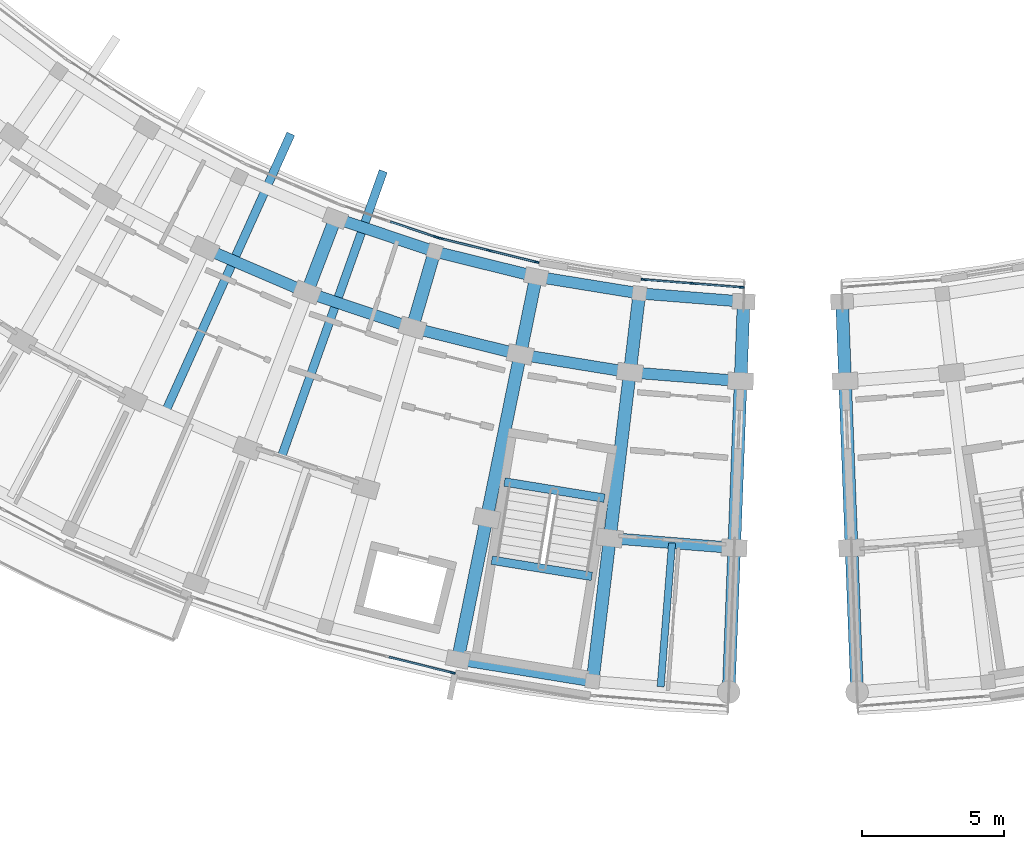
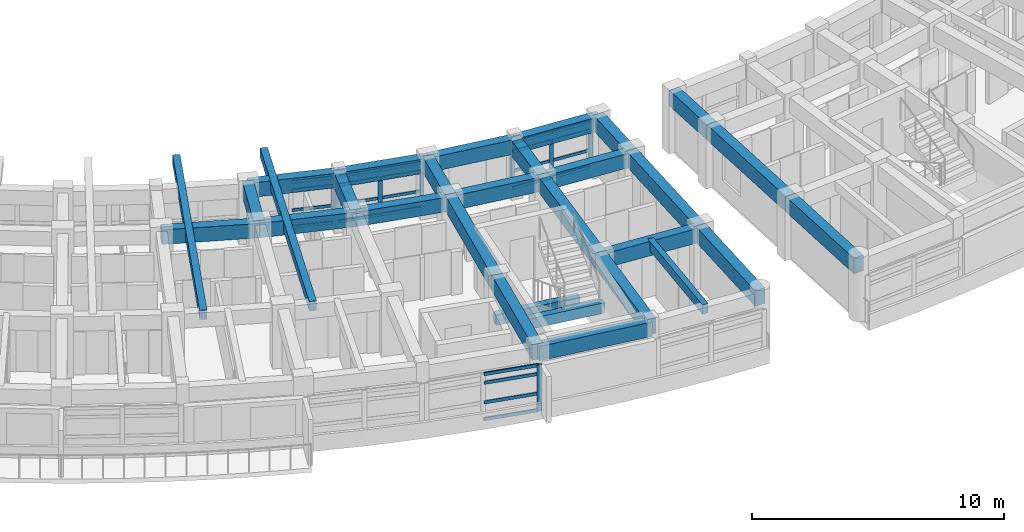
# One storey, part 12 of 70: 32 members, 30 beams, 4 elements without a shape of their own.
"""IFC4 building model written with IfcOpenShell, lengths in metres."""

from ifc_helpers import new_model, si_unit, direction, frame, origin, origin_2d, place, context, subcontext, project, spatial, rectangle, extrude, material, material_profile, profile_set, type_object, element, aggregate, save


model = new_model("IFC4")

# Units and contexts
model_context = context("Model", 3, precision=1e-05, world=origin(), true_north=direction((0.0, 1.0)))
body_context = subcontext(model_context, "Body", "Model", "MODEL_VIEW")
ifc_project = project(units=[si_unit("LENGTHUNIT", "METRE"), si_unit("AREAUNIT", "SQUARE_METRE"), si_unit("VOLUMEUNIT", "CUBIC_METRE"), si_unit("PLANEANGLEUNIT", "RADIAN"), si_unit("MASSUNIT", "GRAM", prefix="KILO")], contexts=[model_context])

# Site, building, storey
site_placement = place(None, origin())
site = spatial("IfcSite", under=ifc_project, at=site_placement, CompositionType="ELEMENT")
building_placement = place(site_placement, origin())
building = spatial("IfcBuilding", under=site, at=building_placement, Name="Zimvara Arc Housing Community", CompositionType="ELEMENT")
storey_placement = place(building_placement, frame((0.0, 0.0, 8.10009765625)))
storey = spatial("IfcBuildingStorey", under=building, at=storey_placement, Name="L02", CompositionType="ELEMENT", Elevation=8.10009765625)

# Beams
ifc_material_1 = material(Name="Concrete C40/50", Category="concrete")
ifc_material_profile_1 = material_profile(ifc_material_1, rectangle(XDim=0.25, YDim=0.449951171875, at=origin_2d()), Name="RC 250x450")
ifc_profile_set_1 = profile_set([ifc_material_profile_1], Name="Concrete C40/50")
beam_type_1 = type_object("IfcBeamType", Name="BM-RC-250x450", PredefinedType="JOIST", material=ifc_profile_set_1)
beam_1_placement = place(storey_placement, frame((121.72509765625, 56.2734375, 2.65478515625), z_axis=(-0.079171686291, -0.99686099537, 0.0), x_axis=(0.99686099537, -0.079171686291, 0.0)))
element("IfcBeam", 1, at=beam_1_placement, inside=storey, type_object=beam_type_1, Name="bm:blkC:L02:joist:b9", PredefinedType="JOIST", context=body_context, shape_type="SweptSolid", body=[
    extrude(rectangle(XDim=0.25, YDim=0.449951171875, at=origin_2d()), origin(), (0.0, 0.0, 1.0), 5.07568359375),
])
ifc_material_2 = material(Name="Concrete C40/50", Category="concrete")
ifc_material_profile_2 = material_profile(ifc_material_2, rectangle(XDim=0.300048828125, YDim=0.449951171875, at=origin_2d()), Name="RC 300x450")
ifc_profile_set_2 = profile_set([ifc_material_profile_2], Name="Concrete C40/50")
beam_type_2 = type_object("IfcBeamType", Name="BM-RC-300x450", PredefinedType="JOIST", material=ifc_profile_set_2)
for number, where, z_axis, x_axis, name in (
    (2, (103.849365234375, 60.822509765625, 2.664794921875), (0.411363625236, 0.911471320357, 0.0), (-0.911471320357, 0.411363625236, 0.0), "bm:blkC:L02:cant_in:b5"),
    (3, (107.92431640625, 59.180419921875, 2.664794921875), (0.335595863833, 0.942006059523, 0.0), (-0.942006059523, 0.335595863833, 0.0), "bm:blkC:L02:cant_in:b6"),
):
    element("IfcBeam", number, at=place(storey_placement, frame(where, z_axis=z_axis, x_axis=x_axis)), inside=storey, type_object=beam_type_2, Name=name, PredefinedType="JOIST", context=body_context, shape_type="SweptSolid", body=[
        extrude(rectangle(XDim=0.300048828125, YDim=0.449951171875, at=origin_2d()), origin(), (0.0, 0.0, 1.0), 10.81982421875),
    ])
ifc_material_3 = material(Name="Concrete C40/50", Category="concrete")
ifc_material_profile_3 = material_profile(ifc_material_3, rectangle(XDim=0.300048828125, YDim=0.5, at=origin_2d()), Name="RC 300x500")
ifc_profile_set_3 = profile_set([ifc_material_profile_3], Name="Concrete C40/50")
beam_type_3 = type_object("IfcBeamType", Name="BM-RC-300x500", PredefinedType="BEAM", material=ifc_profile_set_3)
for number, where, z_axis, x_axis, name in (
    (4, (115.822265625, 58.423095703125, -0.25), (0.987080057935, -0.160227835371, 0.0), (0.160227835371, 0.987080057935, 0.0), "bm:stair_trim:ST-C2:L02:near"),
    (5, (115.375244140625, 55.6689453125, 1.2998046875), (0.987080057935, -0.160227835371, 0.0), (0.160227835371, 0.987080057935, 0.0), "bm:stair_trim:ST-C2:L02:mid"),
):
    element("IfcBeam", number, at=place(storey_placement, frame(where, z_axis=z_axis, x_axis=x_axis)), inside=storey, type_object=beam_type_3, Name=name, PredefinedType="BEAM", context=body_context, shape_type="SweptSolid", body=[
        extrude(rectangle(XDim=0.300048828125, YDim=0.5, at=origin_2d()), origin(), (0.0, 0.0, 1.0), 3.570068359375),
    ])
ifc_material_4 = material(Name="Concrete C40/50", Category="concrete")
ifc_material_profile_4 = material_profile(ifc_material_4, rectangle(XDim=0.39990234375, YDim=0.699951171875, at=origin_2d()), Name="RC 400x700")
ifc_profile_set_4 = profile_set([ifc_material_profile_4], Name="Concrete C40/50")
beam_type_4 = type_object("IfcBeamType", Name="BM-RC-400x700", PredefinedType="BEAM", material=ifc_profile_set_4)
beam_2_placement = place(storey_placement, frame((109.869384765625, 67.71435546875, 2.52978515625), z_axis=(0.947865078275, -0.31867192124, 0.0), x_axis=(0.31867192124, 0.947865078275, 0.0)))
element("IfcBeam", 6, at=beam_2_placement, inside=storey, type_object=beam_type_4, Name="bm:blkC:L02:chord:r0:b6", PredefinedType="BEAM", context=body_context, shape_type="SweptSolid", body=[
    extrude(rectangle(XDim=0.39990234375, YDim=0.699951171875, at=origin_2d()), origin(), (0.0, 0.0, 1.0), 3.684326171875),
])
beam_3_placement = place(storey_placement, frame((113.361572265625, 66.540283203125, 2.52978515625), z_axis=(0.970724337693, -0.240196295163, 0.0), x_axis=(0.240196295163, 0.970724337693, 0.0)))
element("IfcBeam", 7, at=beam_3_placement, inside=storey, type_object=beam_type_4, Name="bm:blkC:L02:chord:r0:b7", PredefinedType="BEAM", context=body_context, shape_type="SweptSolid", body=[
    extrude(rectangle(XDim=0.39990234375, YDim=0.699951171875, at=origin_2d()), origin(), (0.0, 0.0, 1.0), 3.6845703125),
])
beam_4_placement = place(storey_placement, frame((116.938232421875, 65.6552734375, 2.52978515625), z_axis=(0.987079996944, -0.160228211104, 0.0), x_axis=(0.160228211104, 0.987079996944, 0.0)))
element("IfcBeam", 8, at=beam_4_placement, inside=storey, type_object=beam_type_4, Name="bm:blkC:L02:chord:r0:b8", PredefinedType="BEAM", context=body_context, shape_type="SweptSolid", body=[
    extrude(rectangle(XDim=0.39990234375, YDim=0.699951171875, at=origin_2d()), origin(), (0.0, 0.0, 1.0), 3.684326171875),
])
beam_5_placement = place(storey_placement, frame((120.574951171875, 65.06494140625, 2.52978515625), z_axis=(0.996860413745, -0.079179009267, 0.0), x_axis=(0.079179009267, 0.996860413745, 0.0)))
element("IfcBeam", 9, at=beam_5_placement, inside=storey, type_object=beam_type_4, Name="bm:blkC:L02:chord:r0:b9", PredefinedType="BEAM", context=body_context, shape_type="SweptSolid", body=[
    extrude(rectangle(XDim=0.39990234375, YDim=0.699951171875, at=origin_2d()), origin(), (0.0, 0.0, 1.0), 3.6845703125),
])
for number, where, z_axis, x_axis, name in (
    (10, (105.2744140625, 66.644287109375, 2.52978515625), (0.918708805961, -0.394935602155, 0.0), (0.394935602155, 0.918708805961, 0.0), "bm:blkC:L02:chord:r1:b5"),
    (11, (108.869384765625, 65.098876953125, 2.52978515625), (0.947881689069, -0.31862250945, 0.0), (0.31862250945, 0.947881689069, 0.0), "bm:blkC:L02:chord:r1:b6"),
    (12, (112.57861328125, 63.85205078125, 2.52978515625), (0.970723220586, -0.240200809773, 0.0), (0.240200809773, 0.970723220586, 0.0), "bm:blkC:L02:chord:r1:b7"),
    (13, (116.377197265625, 62.912109375, 2.52978515625), (0.987081487371, -0.160219029111, 0.0), (0.160219029111, 0.987081487371, 0.0), "bm:blkC:L02:chord:r1:b8"),
):
    element("IfcBeam", number, at=place(storey_placement, frame(where, z_axis=z_axis, x_axis=x_axis)), inside=storey, type_object=beam_type_4, Name=name, PredefinedType="BEAM", context=body_context, shape_type="SweptSolid", body=[
        extrude(rectangle(XDim=0.39990234375, YDim=0.699951171875, at=origin_2d()), origin(), (0.0, 0.0, 1.0), 3.9130859375),
    ])
beam_6_placement = place(storey_placement, frame((120.23974609375, 62.28515625, 2.52978515625), z_axis=(0.99686054795, -0.079177319606, 0.0), x_axis=(0.079177319606, 0.99686054795, 0.0)))
element("IfcBeam", 14, at=beam_6_placement, inside=storey, type_object=beam_type_4, Name="bm:blkC:L02:chord:r1:b9", PredefinedType="BEAM", context=body_context, shape_type="SweptSolid", body=[
    extrude(rectangle(XDim=0.39990234375, YDim=0.699951171875, at=origin_2d()), origin(), (0.0, 0.0, 1.0), 3.912841796875),
])
beam_7_placement = place(storey_placement, frame((119.535400390625, 56.447509765625, 2.52978515625), z_axis=(0.996859476344, -0.079190810224, 0.0), x_axis=(0.079190810224, 0.996859476344, 0.0)))
element("IfcBeam", 15, at=beam_7_placement, inside=storey, type_object=beam_type_4, Name="bm:blkC:L02:chord:r2:b9", PredefinedType="BEAM", context=body_context, shape_type="SweptSolid", body=[
    extrude(rectangle(XDim=0.39990234375, YDim=0.699951171875, at=origin_2d()), origin(), (0.0, 0.0, 1.0), 4.393310546875),
])
beam_8_placement = place(storey_placement, frame((114.180908203125, 52.17431640625, 2.52978515625), z_axis=(0.987083566885, -0.160206217065, 0.0), x_axis=(0.160206217065, 0.987083566885, 0.0)))
element("IfcBeam", 16, at=beam_8_placement, inside=storey, type_object=beam_type_4, Name="bm:blkC:L02:chord:r3:b8", PredefinedType="BEAM", context=body_context, shape_type="SweptSolid", body=[
    extrude(rectangle(XDim=0.39990234375, YDim=0.699951171875, at=origin_2d()), origin(), (0.0, 0.0, 1.0), 4.807861328125),
])
ifc_material_5 = material(Name="Concrete C40/50", Category="concrete")
ifc_material_profile_5 = material_profile(ifc_material_5, rectangle(XDim=0.449951171875, YDim=0.75, at=origin_2d()), Name="RC 450x750")
ifc_profile_set_5 = profile_set([ifc_material_profile_5], Name="Concrete C40/50")
beam_type_5 = type_object("IfcBeamType", Name="BM-RC-450x750", PredefinedType="BEAM", material=ifc_profile_set_5)
for number, where, z_axis, x_axis, name in (
    (17, (109.869384765625, 67.71435546875, 2.5048828125), (-0.357126279724, -0.934056111982, 0.0), (0.934056111982, -0.357126279724, 0.0), "bm:blkC:L02:rad:b6:r01"),
    (18, (113.361572265625, 66.540283203125, 2.5048828125), (-0.279635015525, -0.960106378529, 0.0), (0.960106378529, -0.279635015525, 0.0), "bm:blkC:L02:rad:b7:r01"),
    (19, (116.938232421875, 65.6552734375, 2.5048828125), (-0.20037341071, -0.979719600845, 0.0), (0.979719600845, -0.20037341071, 0.0), "bm:blkC:L02:rad:b8:r01"),
):
    element("IfcBeam", number, at=place(storey_placement, frame(where, z_axis=z_axis, x_axis=x_axis)), inside=storey, type_object=beam_type_5, Name=name, PredefinedType="BEAM", context=body_context, shape_type="SweptSolid", body=[
        extrude(rectangle(XDim=0.449951171875, YDim=0.75, at=origin_2d()), origin(), (0.0, 0.0, 1.0), 2.800048828125),
    ])
beam_9_placement = place(storey_placement, frame((116.377197265625, 62.912109375, 2.5048828125), z_axis=(-0.200417973989, -0.979710485655, 0.0), x_axis=(0.979710485655, -0.200417973989, 0.0)))
element("IfcBeam", 20, at=beam_9_placement, inside=storey, type_object=beam_type_5, Name="bm:blkC:L02:rad:b8:r12", PredefinedType="BEAM", context=body_context, shape_type="SweptSolid", body=[
    extrude(rectangle(XDim=0.449951171875, YDim=0.75, at=origin_2d()), origin(), (0.0, 0.0, 1.0), 5.880126953125),
])
beam_10_placement = place(storey_placement, frame((115.19873046875, 57.1513671875, 2.5048828125), z_axis=(-0.200356397601, -0.979723080233, 0.0), x_axis=(0.979723080233, -0.200356397601, 0.0)))
element("IfcBeam", 21, at=beam_10_placement, inside=storey, type_object=beam_type_5, Name="bm:blkC:L02:rad:b8:r23", PredefinedType="BEAM", context=body_context, shape_type="SweptSolid", body=[
    extrude(rectangle(XDim=0.449951171875, YDim=0.75, at=origin_2d()), origin(), (0.0, 0.0, 1.0), 5.080078125),
])
beam_11_placement = place(storey_placement, frame((120.574951171875, 65.06494140625, 2.5048828125), z_axis=(-0.119719398078, -0.992807768767, 0.0), x_axis=(0.992807768767, -0.119719398078, 0.0)))
element("IfcBeam", 22, at=beam_11_placement, inside=storey, type_object=beam_type_5, Name="bm:blkC:L02:rad:b9:r01", PredefinedType="BEAM", context=body_context, shape_type="SweptSolid", body=[
    extrude(rectangle(XDim=0.449951171875, YDim=0.75, at=origin_2d()), origin(), (0.0, 0.0, 1.0), 2.7998046875),
])
beam_12_placement = place(storey_placement, frame((120.23974609375, 62.28515625, 2.5048828125), z_axis=(-0.119786997154, -0.992799614884, 0.0), x_axis=(0.992799614884, -0.119786997154, 0.0)))
element("IfcBeam", 23, at=beam_12_placement, inside=storey, type_object=beam_type_5, Name="bm:blkC:L02:rad:b9:r12", PredefinedType="BEAM", context=body_context, shape_type="SweptSolid", body=[
    extrude(rectangle(XDim=0.449951171875, YDim=0.75, at=origin_2d()), origin(), (0.0, 0.0, 1.0), 5.8798828125),
])
beam_13_placement = place(storey_placement, frame((119.535400390625, 56.447509765625, 2.5048828125), z_axis=(-0.119810359757, -0.992796795772, 0.0), x_axis=(0.992796795772, -0.119810359757, 0.0)))
element("IfcBeam", 24, at=beam_13_placement, inside=storey, type_object=beam_type_5, Name="bm:blkC:L02:rad:b9:r23", PredefinedType="BEAM", context=body_context, shape_type="SweptSolid", body=[
    extrude(rectangle(XDim=0.449951171875, YDim=0.75, at=origin_2d()), origin(), (0.0, 0.0, 1.0), 5.080078125),
])
beam_14_placement = place(storey_placement, frame((124.248046875, 64.773193359375, 2.5048828125), z_axis=(-0.038453214409, -0.999260401648, 0.0), x_axis=(0.999260401648, -0.038453214409, 0.0)))
element("IfcBeam", 25, at=beam_14_placement, inside=storey, type_object=beam_type_5, Name="bm:blkC:L02:rad:b10:r01", PredefinedType="BEAM", context=body_context, shape_type="SweptSolid", body=[
    extrude(rectangle(XDim=0.449951171875, YDim=0.75, at=origin_2d()), origin(), (0.0, 0.0, 1.0), 2.7998046875),
])
beam_15_placement = place(storey_placement, frame((124.140380859375, 61.975341796875, 2.5048828125), z_axis=(-0.038364555613, -0.999263809448, 0.0), x_axis=(0.999263809448, -0.038364555613, 0.0)))
element("IfcBeam", 26, at=beam_15_placement, inside=storey, type_object=beam_type_5, Name="bm:blkC:L02:rad:b10:r12", PredefinedType="BEAM", context=body_context, shape_type="SweptSolid", body=[
    extrude(rectangle(XDim=0.449951171875, YDim=0.75, at=origin_2d()), origin(), (0.0, 0.0, 1.0), 5.880126953125),
])
beam_16_placement = place(storey_placement, frame((123.914794921875, 56.099609375, 2.5048828125), z_axis=(-0.038399898954, -0.999262451892, 0.0), x_axis=(0.999262451892, -0.038399898954, 0.0)))
element("IfcBeam", 27, at=beam_16_placement, inside=storey, type_object=beam_type_5, Name="bm:blkC:L02:rad:b10:r23", PredefinedType="BEAM", context=body_context, shape_type="SweptSolid", body=[
    extrude(rectangle(XDim=0.449951171875, YDim=0.75, at=origin_2d()), origin(), (0.0, 0.0, 1.0), 5.079833984375),
])
beam_17_placement = place(storey_placement, frame((127.712158203125, 64.773193359375, 2.5048828125), z_axis=(0.038366147405, -0.999263748333, 0.0), x_axis=(0.999263748333, 0.038366147405, 0.0)))
element("IfcBeam", 28, at=beam_17_placement, inside=storey, type_object=beam_type_5, Name="bm:blkD:L02:rad:b0:r01", PredefinedType="BEAM", context=body_context, shape_type="SweptSolid", body=[
    extrude(rectangle(XDim=0.449951171875, YDim=0.75, at=origin_2d()), origin(), (0.0, 0.0, 1.0), 2.7998046875),
])
beam_18_placement = place(storey_placement, frame((127.819580078125, 61.975341796875, 2.5048828125), z_axis=(0.038364555613, -0.999263809448, 0.0), x_axis=(0.999263809448, 0.038364555613, 0.0)))
element("IfcBeam", 29, at=beam_18_placement, inside=storey, type_object=beam_type_5, Name="bm:blkD:L02:rad:b0:r12", PredefinedType="BEAM", context=body_context, shape_type="SweptSolid", body=[
    extrude(rectangle(XDim=0.449951171875, YDim=0.75, at=origin_2d()), origin(), (0.0, 0.0, 1.0), 5.880126953125),
])
beam_19_placement = place(storey_placement, frame((128.045166015625, 56.099609375, 2.5048828125), z_axis=(0.038399898954, -0.999262451892, 0.0), x_axis=(0.999262451892, 0.038399898954, 0.0)))
element("IfcBeam", 30, at=beam_19_placement, inside=storey, type_object=beam_type_5, Name="bm:blkD:L02:rad:b0:r23", PredefinedType="BEAM", context=body_context, shape_type="SweptSolid", body=[
    extrude(rectangle(XDim=0.449951171875, YDim=0.75, at=origin_2d()), origin(), (0.0, 0.0, 1.0), 5.079833984375),
])

# Curtain wall, member
ifc_material_6 = material(Name="Anodised Aluminium AW-6063", Category="aluminium")
curtain_wall_type_1 = type_object("IfcCurtainWallType", Name="CW-SYS-06", PredefinedType="USERDEFINED", material=ifc_material_6)
curtain_wall_1_placement = place(storey_placement, origin())
curtain_wall_1 = element("IfcCurtainWall", 31, at=curtain_wall_1_placement, inside=storey, type_object=curtain_wall_type_1, Name="cw:blkC:L02:in:b6", ObjectType="CURTAIN WALL", PredefinedType="USERDEFINED")
ifc_material_7 = material(Name="Anodised Aluminium AW-6063", Category="aluminium")
ifc_material_profile_6 = material_profile(ifc_material_7, rectangle(XDim=0.06494140625, YDim=0.179931640625, at=origin_2d()), Name="ALU 65x180")
ifc_profile_set_6 = profile_set([ifc_material_profile_6], Name="Anodised Aluminium AW-6063")
member_type_1 = type_object("IfcMemberType", Name="CWM-65x150", PredefinedType="MULLION", material=ifc_profile_set_6)
member_1_placement = place(storey_placement, frame((113.413818359375, 67.0498046875, 0.0), z_axis=(0.0, 0.0, 1.0), x_axis=(0.318630249383, 0.94787908732, 0.0)))
member_1 = element("IfcMember", 32, at=member_1_placement, type_object=member_type_1, Name="CW06 mullion 3", PredefinedType="MULLION", context=body_context, shape_type="SweptSolid", body=[
    extrude(rectangle(XDim=0.06494140625, YDim=0.179931640625, at=origin_2d()), origin(), (0.0, 0.0, 1.0), 2.25),
])

# Curtain wall, members
ifc_material_8 = material(Name="Anodised Aluminium AW-6063", Category="aluminium")
curtain_wall_type_2 = type_object("IfcCurtainWallType", Name="CW-SYS-08", PredefinedType="USERDEFINED", material=ifc_material_8)
curtain_wall_2_placement = place(storey_placement, origin())
curtain_wall_2 = element("IfcCurtainWall", 33, at=curtain_wall_2_placement, inside=storey, type_object=curtain_wall_type_2, Name="cw:blkC:L02:in:b7", ObjectType="CURTAIN WALL", PredefinedType="USERDEFINED")
member_2_placement = place(storey_placement, frame((113.59130859375, 66.998291015625, 0.0), z_axis=(0.0, 0.0, 1.0), x_axis=(0.240227815706, 0.970716537698, 0.0)))
member_2 = element("IfcMember", 34, at=member_2_placement, type_object=member_type_1, Name="CW08 mullion 1", PredefinedType="MULLION", context=body_context, shape_type="SweptSolid", body=[
    extrude(rectangle(XDim=0.06494140625, YDim=0.179931640625, at=origin_2d()), origin(), (0.0, 0.0, 1.0), 2.25),
])
member_3_placement = place(storey_placement, frame((115.27001953125, 66.582763671875, 0.0), z_axis=(0.0, 0.0, 1.0), x_axis=(0.240227815706, 0.970716537698, 0.0)))
member_3 = element("IfcMember", 35, at=member_3_placement, type_object=member_type_1, Name="CW08 mullion 2", PredefinedType="MULLION", context=body_context, shape_type="SweptSolid", body=[
    extrude(rectangle(XDim=0.06494140625, YDim=0.179931640625, at=origin_2d()), origin(), (0.0, 0.0, 1.0), 2.25),
])
member_4_placement = place(storey_placement, frame((116.94873046875, 66.167236328125, 0.0), z_axis=(0.0, 0.0, 1.0), x_axis=(0.240227815706, 0.970716537698, 0.0)))
member_4 = element("IfcMember", 36, at=member_4_placement, type_object=member_type_1, Name="CW08 mullion 3", PredefinedType="MULLION", context=body_context, shape_type="SweptSolid", body=[
    extrude(rectangle(XDim=0.06494140625, YDim=0.179931640625, at=origin_2d()), origin(), (0.0, 0.0, 1.0), 2.25),
])

ifc_material_9 = material(Name="Anodised Aluminium AW-6063", Category="aluminium")
curtain_wall_type_3 = type_object("IfcCurtainWallType", Name="CW-SYS-02", PredefinedType="USERDEFINED", material=ifc_material_9)
curtain_wall_3_placement = place(storey_placement, origin())
curtain_wall_3 = element("IfcCurtainWall", 37, at=curtain_wall_3_placement, inside=storey, type_object=curtain_wall_type_3, Name="cw:blkC:L02:in:b9", ObjectType="CURTAIN WALL", PredefinedType="USERDEFINED")
member_5_placement = place(storey_placement, frame((120.72705078125, 65.553955078125, 0.0), z_axis=(0.0, 0.0, 1.0), x_axis=(0.079154709897, 0.996862343506, 0.0)))
member_5 = element("IfcMember", 38, at=member_5_placement, type_object=member_type_1, Name="CW02 mullion 1", PredefinedType="MULLION", context=body_context, shape_type="SweptSolid", body=[
    extrude(rectangle(XDim=0.06494140625, YDim=0.179931640625, at=origin_2d()), origin(), (0.0, 0.0, 1.0), 2.25),
])
member_6_placement = place(storey_placement, frame((122.450927734375, 65.4169921875, 0.0), z_axis=(0.0, 0.0, 1.0), x_axis=(0.079154709897, 0.996862343506, 0.0)))
member_6 = element("IfcMember", 39, at=member_6_placement, type_object=member_type_1, Name="CW02 mullion 2", PredefinedType="MULLION", context=body_context, shape_type="SweptSolid", body=[
    extrude(rectangle(XDim=0.06494140625, YDim=0.179931640625, at=origin_2d()), origin(), (0.0, 0.0, 1.0), 2.25),
])
member_7_placement = place(storey_placement, frame((124.1748046875, 65.2802734375, 0.0), z_axis=(0.0, 0.0, 1.0), x_axis=(0.079154709897, 0.996862343506, 0.0)))
member_7 = element("IfcMember", 40, at=member_7_placement, type_object=member_type_1, Name="CW02 mullion 3", PredefinedType="MULLION", context=body_context, shape_type="SweptSolid", body=[
    extrude(rectangle(XDim=0.06494140625, YDim=0.179931640625, at=origin_2d()), origin(), (0.0, 0.0, 1.0), 2.25),
])

# Curtain wall, member
ifc_material_10 = material(Name="Anodised Aluminium AW-6063", Category="aluminium")
curtain_wall_type_4 = type_object("IfcCurtainWallType", Name="CW-SYS-07", PredefinedType="USERDEFINED", material=ifc_material_10)
curtain_wall_4_placement = place(storey_placement, origin())
curtain_wall_4 = element("IfcCurtainWall", 41, at=curtain_wall_4_placement, inside=storey, type_object=curtain_wall_type_4, Name="cw:blkC:L02:out:b7", ObjectType="CURTAIN WALL", PredefinedType="USERDEFINED")
ifc_material_11 = material(Name="Anodised Aluminium AW-6063", Category="aluminium")
ifc_material_profile_7 = material_profile(ifc_material_11, rectangle(XDim=0.06494140625, YDim=0.195068359375, at=origin_2d()), Name="ALU 65x195")
ifc_profile_set_7 = profile_set([ifc_material_profile_7], Name="Anodised Aluminium AW-6063")
member_type_2 = type_object("IfcMemberType", Name="CWM-65x180", PredefinedType="MULLION", material=ifc_profile_set_7)
member_8_placement = place(storey_placement, frame((113.99072265625, 51.706787109375, 0.0), z_axis=(0.0, 0.0, 1.0), x_axis=(0.240229711131, 0.970716068627, 0.0)))
member_8 = element("IfcMember", 42, at=member_8_placement, type_object=member_type_2, Name="CW07 mullion 3", PredefinedType="MULLION", context=body_context, shape_type="SweptSolid", body=[
    extrude(rectangle(XDim=0.06494140625, YDim=0.195068359375, at=origin_2d()), origin(), (0.0, 0.0, 1.0), 2.25),
])

# Member
ifc_material_12 = material(Name="Anodised Aluminium AW-6063", Category="aluminium")
ifc_material_profile_8 = material_profile(ifc_material_12, rectangle(XDim=0.06494140625, YDim=0.139892578125, at=origin_2d()), Name="ALU 65x140")
ifc_profile_set_8 = profile_set([ifc_material_profile_8], Name="Anodised Aluminium AW-6063")
member_type_3 = type_object("IfcMemberType", Name="CWT-65x120", PredefinedType="USERDEFINED", material=ifc_profile_set_8)
member_9_placement = place(storey_placement, frame((111.805419921875, 67.590576171875, 0.032470703125), z_axis=(0.947888214723, -0.318603095385, 0.0), x_axis=(0.318603095385, 0.947888214723, 0.0)))
member_9 = element("IfcMember", 43, at=member_9_placement, type_object=member_type_3, Name="CW06 transom 2.1", ObjectType="TRANSOM", PredefinedType="USERDEFINED", context=body_context, shape_type="SweptSolid", body=[
    extrude(rectangle(XDim=0.06494140625, YDim=0.139892578125, at=origin_2d()), origin(), (0.0, 0.0, 1.0), 1.664306640625),
])

member_10_placement = place(storey_placement, frame((111.805419921875, 67.590576171875, 0.849853515625), z_axis=(0.947888214723, -0.318603095385, 0.0), x_axis=(0.318603095385, 0.947888214723, 0.0)))
member_10 = element("IfcMember", 44, at=member_10_placement, type_object=member_type_3, Name="CW06 transom 2.2", ObjectType="TRANSOM", PredefinedType="USERDEFINED", context=body_context, shape_type="SweptSolid", body=[
    extrude(rectangle(XDim=0.06494140625, YDim=0.139892578125, at=origin_2d()), origin(), (0.0, 0.0, 1.0), 1.664306640625),
])

member_11_placement = place(storey_placement, frame((111.805419921875, 67.590576171875, 1.7998046875), z_axis=(0.947888214723, -0.318603095385, 0.0), x_axis=(0.318603095385, 0.947888214723, 0.0)))
member_11 = element("IfcMember", 45, at=member_11_placement, type_object=member_type_3, Name="CW06 transom 2.3", ObjectType="TRANSOM", PredefinedType="USERDEFINED", context=body_context, shape_type="SweptSolid", body=[
    extrude(rectangle(XDim=0.06494140625, YDim=0.139892578125, at=origin_2d()), origin(), (0.0, 0.0, 1.0), 1.664306640625),
])

member_12_placement = place(storey_placement, frame((111.805419921875, 67.590576171875, 2.21728515625), z_axis=(0.947888214723, -0.318603095385, 0.0), x_axis=(0.318603095385, 0.947888214723, 0.0)))
member_12 = element("IfcMember", 46, at=member_12_placement, type_object=member_type_3, Name="CW06 transom 2.4", ObjectType="TRANSOM", PredefinedType="USERDEFINED", context=body_context, shape_type="SweptSolid", body=[
    extrude(rectangle(XDim=0.06494140625, YDim=0.139892578125, at=origin_2d()), origin(), (0.0, 0.0, 1.0), 1.664306640625),
])

aggregate(curtain_wall_1, [member_1, member_9, member_10, member_11, member_12])

member_13_placement = place(storey_placement, frame((113.622802734375, 66.990478515625, 0.032470703125), z_axis=(0.970709278499, -0.2402571469, 0.0), x_axis=(0.2402571469, 0.970709278499, 0.0)))
member_13 = element("IfcMember", 47, at=member_13_placement, type_object=member_type_3, Name="CW08 transom 1.1", ObjectType="TRANSOM", PredefinedType="USERDEFINED", context=body_context, shape_type="SweptSolid", body=[
    extrude(rectangle(XDim=0.06494140625, YDim=0.139892578125, at=origin_2d()), origin(), (0.0, 0.0, 1.0), 1.66455078125),
])

member_14_placement = place(storey_placement, frame((113.622802734375, 66.990478515625, 0.849853515625), z_axis=(0.970709278499, -0.2402571469, 0.0), x_axis=(0.2402571469, 0.970709278499, 0.0)))
member_14 = element("IfcMember", 48, at=member_14_placement, type_object=member_type_3, Name="CW08 transom 1.2", ObjectType="TRANSOM", PredefinedType="USERDEFINED", context=body_context, shape_type="SweptSolid", body=[
    extrude(rectangle(XDim=0.06494140625, YDim=0.139892578125, at=origin_2d()), origin(), (0.0, 0.0, 1.0), 1.66455078125),
])

member_15_placement = place(storey_placement, frame((113.622802734375, 66.990478515625, 1.7998046875), z_axis=(0.970709278499, -0.2402571469, 0.0), x_axis=(0.2402571469, 0.970709278499, 0.0)))
member_15 = element("IfcMember", 49, at=member_15_placement, type_object=member_type_3, Name="CW08 transom 1.3", ObjectType="TRANSOM", PredefinedType="USERDEFINED", context=body_context, shape_type="SweptSolid", body=[
    extrude(rectangle(XDim=0.06494140625, YDim=0.139892578125, at=origin_2d()), origin(), (0.0, 0.0, 1.0), 1.66455078125),
])

member_16_placement = place(storey_placement, frame((113.622802734375, 66.990478515625, 2.21728515625), z_axis=(0.970709278499, -0.2402571469, 0.0), x_axis=(0.2402571469, 0.970709278499, 0.0)))
member_16 = element("IfcMember", 50, at=member_16_placement, type_object=member_type_3, Name="CW08 transom 1.4", ObjectType="TRANSOM", PredefinedType="USERDEFINED", context=body_context, shape_type="SweptSolid", body=[
    extrude(rectangle(XDim=0.06494140625, YDim=0.139892578125, at=origin_2d()), origin(), (0.0, 0.0, 1.0), 1.66455078125),
])

member_17_placement = place(storey_placement, frame((115.301513671875, 66.574951171875, 0.032470703125), z_axis=(0.970700809973, -0.24029135964, 0.0), x_axis=(0.24029135964, 0.970700809973, 0.0)))
member_17 = element("IfcMember", 51, at=member_17_placement, type_object=member_type_3, Name="CW08 transom 2.1", ObjectType="TRANSOM", PredefinedType="USERDEFINED", context=body_context, shape_type="SweptSolid", body=[
    extrude(rectangle(XDim=0.06494140625, YDim=0.139892578125, at=origin_2d()), origin(), (0.0, 0.0, 1.0), 1.664306640625),
])

member_18_placement = place(storey_placement, frame((115.301513671875, 66.574951171875, 0.849853515625), z_axis=(0.970700809973, -0.24029135964, 0.0), x_axis=(0.24029135964, 0.970700809973, 0.0)))
member_18 = element("IfcMember", 52, at=member_18_placement, type_object=member_type_3, Name="CW08 transom 2.2", ObjectType="TRANSOM", PredefinedType="USERDEFINED", context=body_context, shape_type="SweptSolid", body=[
    extrude(rectangle(XDim=0.06494140625, YDim=0.139892578125, at=origin_2d()), origin(), (0.0, 0.0, 1.0), 1.664306640625),
])

member_19_placement = place(storey_placement, frame((115.301513671875, 66.574951171875, 1.7998046875), z_axis=(0.970700809973, -0.24029135964, 0.0), x_axis=(0.24029135964, 0.970700809973, 0.0)))
member_19 = element("IfcMember", 53, at=member_19_placement, type_object=member_type_3, Name="CW08 transom 2.3", ObjectType="TRANSOM", PredefinedType="USERDEFINED", context=body_context, shape_type="SweptSolid", body=[
    extrude(rectangle(XDim=0.06494140625, YDim=0.139892578125, at=origin_2d()), origin(), (0.0, 0.0, 1.0), 1.664306640625),
])

member_20_placement = place(storey_placement, frame((115.301513671875, 66.574951171875, 2.21728515625), z_axis=(0.970700809973, -0.24029135964, 0.0), x_axis=(0.24029135964, 0.970700809973, 0.0)))
member_20 = element("IfcMember", 54, at=member_20_placement, type_object=member_type_3, Name="CW08 transom 2.4", ObjectType="TRANSOM", PredefinedType="USERDEFINED", context=body_context, shape_type="SweptSolid", body=[
    extrude(rectangle(XDim=0.06494140625, YDim=0.139892578125, at=origin_2d()), origin(), (0.0, 0.0, 1.0), 1.664306640625),
])

aggregate(curtain_wall_2, [member_2, member_3, member_4, member_13, member_14, member_15, member_16, member_17, member_18, member_19, member_20])

member_21_placement = place(storey_placement, frame((120.759521484375, 65.551513671875, 0.032470703125), z_axis=(0.99685804311, -0.079208849806, 0.0), x_axis=(0.079208849806, 0.99685804311, 0.0)))
member_21 = element("IfcMember", 55, at=member_21_placement, type_object=member_type_3, Name="CW02 transom 1.1", ObjectType="TRANSOM", PredefinedType="USERDEFINED", context=body_context, shape_type="SweptSolid", body=[
    extrude(rectangle(XDim=0.06494140625, YDim=0.139892578125, at=origin_2d()), origin(), (0.0, 0.0, 1.0), 1.664306640625),
])

member_22_placement = place(storey_placement, frame((120.759521484375, 65.551513671875, 0.849853515625), z_axis=(0.99685804311, -0.079208849806, 0.0), x_axis=(0.079208849806, 0.99685804311, 0.0)))
member_22 = element("IfcMember", 56, at=member_22_placement, type_object=member_type_3, Name="CW02 transom 1.2", ObjectType="TRANSOM", PredefinedType="USERDEFINED", context=body_context, shape_type="SweptSolid", body=[
    extrude(rectangle(XDim=0.06494140625, YDim=0.139892578125, at=origin_2d()), origin(), (0.0, 0.0, 1.0), 1.664306640625),
])

member_23_placement = place(storey_placement, frame((120.759521484375, 65.551513671875, 1.7998046875), z_axis=(0.99685804311, -0.079208849806, 0.0), x_axis=(0.079208849806, 0.99685804311, 0.0)))
member_23 = element("IfcMember", 57, at=member_23_placement, type_object=member_type_3, Name="CW02 transom 1.3", ObjectType="TRANSOM", PredefinedType="USERDEFINED", context=body_context, shape_type="SweptSolid", body=[
    extrude(rectangle(XDim=0.06494140625, YDim=0.139892578125, at=origin_2d()), origin(), (0.0, 0.0, 1.0), 1.664306640625),
])

member_24_placement = place(storey_placement, frame((120.759521484375, 65.551513671875, 2.21728515625), z_axis=(0.99685804311, -0.079208849806, 0.0), x_axis=(0.079208849806, 0.99685804311, 0.0)))
member_24 = element("IfcMember", 58, at=member_24_placement, type_object=member_type_3, Name="CW02 transom 1.4", ObjectType="TRANSOM", PredefinedType="USERDEFINED", context=body_context, shape_type="SweptSolid", body=[
    extrude(rectangle(XDim=0.06494140625, YDim=0.139892578125, at=origin_2d()), origin(), (0.0, 0.0, 1.0), 1.664306640625),
])

member_25_placement = place(storey_placement, frame((122.4833984375, 65.41455078125, 0.032470703125), z_axis=(0.99685804311, -0.079208849806, 0.0), x_axis=(0.079208849806, 0.99685804311, 0.0)))
member_25 = element("IfcMember", 59, at=member_25_placement, type_object=member_type_3, Name="CW02 transom 2.1", ObjectType="TRANSOM", PredefinedType="USERDEFINED", context=body_context, shape_type="SweptSolid", body=[
    extrude(rectangle(XDim=0.06494140625, YDim=0.139892578125, at=origin_2d()), origin(), (0.0, 0.0, 1.0), 1.664306640625),
])

member_26_placement = place(storey_placement, frame((122.4833984375, 65.41455078125, 0.849853515625), z_axis=(0.99685804311, -0.079208849806, 0.0), x_axis=(0.079208849806, 0.99685804311, 0.0)))
member_26 = element("IfcMember", 60, at=member_26_placement, type_object=member_type_3, Name="CW02 transom 2.2", ObjectType="TRANSOM", PredefinedType="USERDEFINED", context=body_context, shape_type="SweptSolid", body=[
    extrude(rectangle(XDim=0.06494140625, YDim=0.139892578125, at=origin_2d()), origin(), (0.0, 0.0, 1.0), 1.664306640625),
])

member_27_placement = place(storey_placement, frame((122.4833984375, 65.41455078125, 1.7998046875), z_axis=(0.99685804311, -0.079208849806, 0.0), x_axis=(0.079208849806, 0.99685804311, 0.0)))
member_27 = element("IfcMember", 61, at=member_27_placement, type_object=member_type_3, Name="CW02 transom 2.3", ObjectType="TRANSOM", PredefinedType="USERDEFINED", context=body_context, shape_type="SweptSolid", body=[
    extrude(rectangle(XDim=0.06494140625, YDim=0.139892578125, at=origin_2d()), origin(), (0.0, 0.0, 1.0), 1.664306640625),
])

member_28_placement = place(storey_placement, frame((122.4833984375, 65.41455078125, 2.21728515625), z_axis=(0.99685804311, -0.079208849806, 0.0), x_axis=(0.079208849806, 0.99685804311, 0.0)))
member_28 = element("IfcMember", 62, at=member_28_placement, type_object=member_type_3, Name="CW02 transom 2.4", ObjectType="TRANSOM", PredefinedType="USERDEFINED", context=body_context, shape_type="SweptSolid", body=[
    extrude(rectangle(XDim=0.06494140625, YDim=0.139892578125, at=origin_2d()), origin(), (0.0, 0.0, 1.0), 1.664306640625),
])

aggregate(curtain_wall_3, [member_5, member_6, member_7, member_21, member_22, member_23, member_24, member_25, member_26, member_27, member_28])

ifc_material_13 = material(Name="Anodised Aluminium AW-6063", Category="aluminium")
ifc_material_profile_9 = material_profile(ifc_material_13, rectangle(XDim=0.06494140625, YDim=0.155029296875, at=origin_2d()), Name="ALU 65x155")
ifc_profile_set_9 = profile_set([ifc_material_profile_9], Name="Anodised Aluminium AW-6063")
member_type_4 = type_object("IfcMemberType", Name="CWT-65x140", PredefinedType="USERDEFINED", material=ifc_profile_set_9)
member_29_placement = place(storey_placement, frame((111.7587890625, 52.259033203125, 0.032470703125), z_axis=(0.970728837212, -0.240178110172, 0.0), x_axis=(0.240178110172, 0.970728837212, 0.0)))
member_29 = element("IfcMember", 63, at=member_29_placement, type_object=member_type_4, Name="CW07 transom 2.1", ObjectType="TRANSOM", PredefinedType="USERDEFINED", context=body_context, shape_type="SweptSolid", body=[
    extrude(rectangle(XDim=0.06494140625, YDim=0.155029296875, at=origin_2d()), origin(), (0.0, 0.0, 1.0), 2.266845703125),
])

member_30_placement = place(storey_placement, frame((111.7587890625, 52.259033203125, 0.849853515625), z_axis=(0.970728837212, -0.240178110172, 0.0), x_axis=(0.240178110172, 0.970728837212, 0.0)))
member_30 = element("IfcMember", 64, at=member_30_placement, type_object=member_type_4, Name="CW07 transom 2.2", ObjectType="TRANSOM", PredefinedType="USERDEFINED", context=body_context, shape_type="SweptSolid", body=[
    extrude(rectangle(XDim=0.06494140625, YDim=0.155029296875, at=origin_2d()), origin(), (0.0, 0.0, 1.0), 2.266845703125),
])

member_31_placement = place(storey_placement, frame((111.7587890625, 52.259033203125, 1.7998046875), z_axis=(0.970728837212, -0.240178110172, 0.0), x_axis=(0.240178110172, 0.970728837212, 0.0)))
member_31 = element("IfcMember", 65, at=member_31_placement, type_object=member_type_4, Name="CW07 transom 2.3", ObjectType="TRANSOM", PredefinedType="USERDEFINED", context=body_context, shape_type="SweptSolid", body=[
    extrude(rectangle(XDim=0.06494140625, YDim=0.155029296875, at=origin_2d()), origin(), (0.0, 0.0, 1.0), 2.266845703125),
])

member_32_placement = place(storey_placement, frame((111.7587890625, 52.259033203125, 2.21728515625), z_axis=(0.970728837212, -0.240178110172, 0.0), x_axis=(0.240178110172, 0.970728837212, 0.0)))
member_32 = element("IfcMember", 66, at=member_32_placement, type_object=member_type_4, Name="CW07 transom 2.4", ObjectType="TRANSOM", PredefinedType="USERDEFINED", context=body_context, shape_type="SweptSolid", body=[
    extrude(rectangle(XDim=0.06494140625, YDim=0.155029296875, at=origin_2d()), origin(), (0.0, 0.0, 1.0), 2.266845703125),
])

aggregate(curtain_wall_4, [member_8, member_29, member_30, member_31, member_32])

save(model, "model.ifc")
